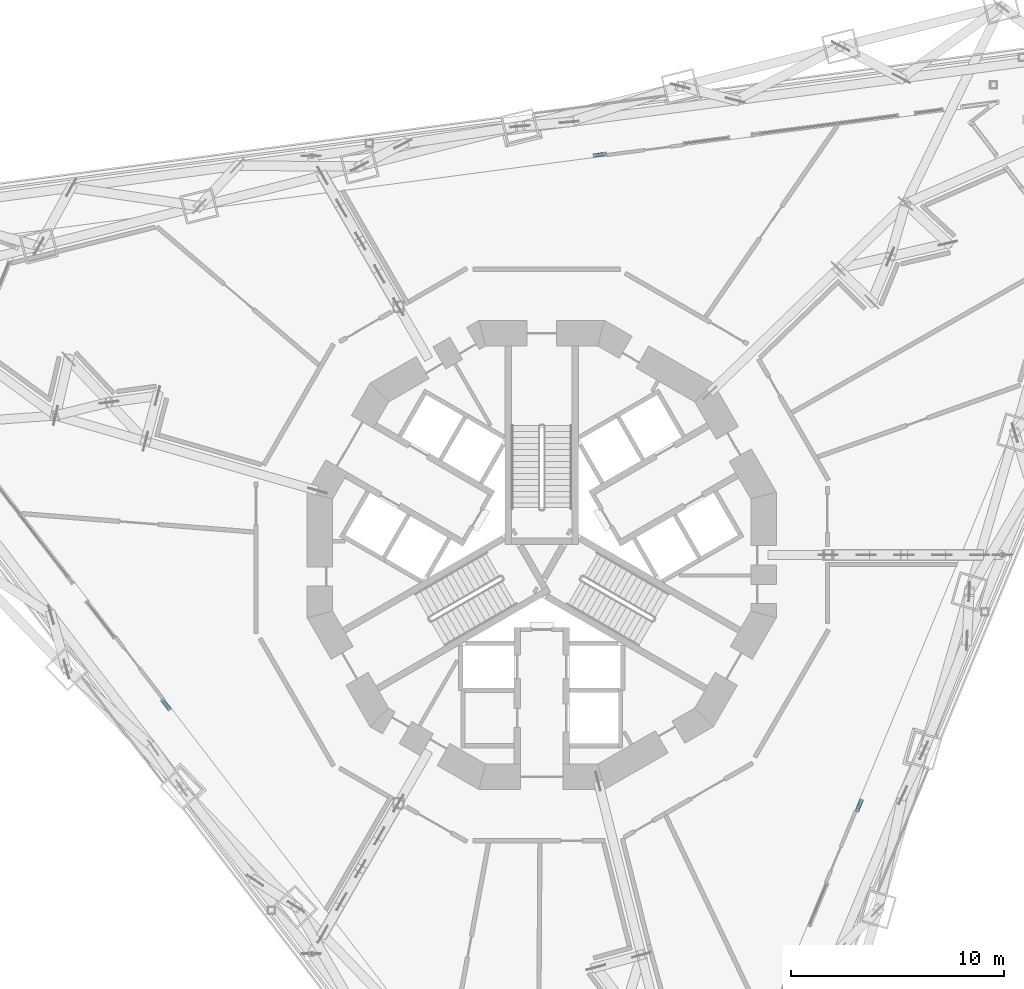
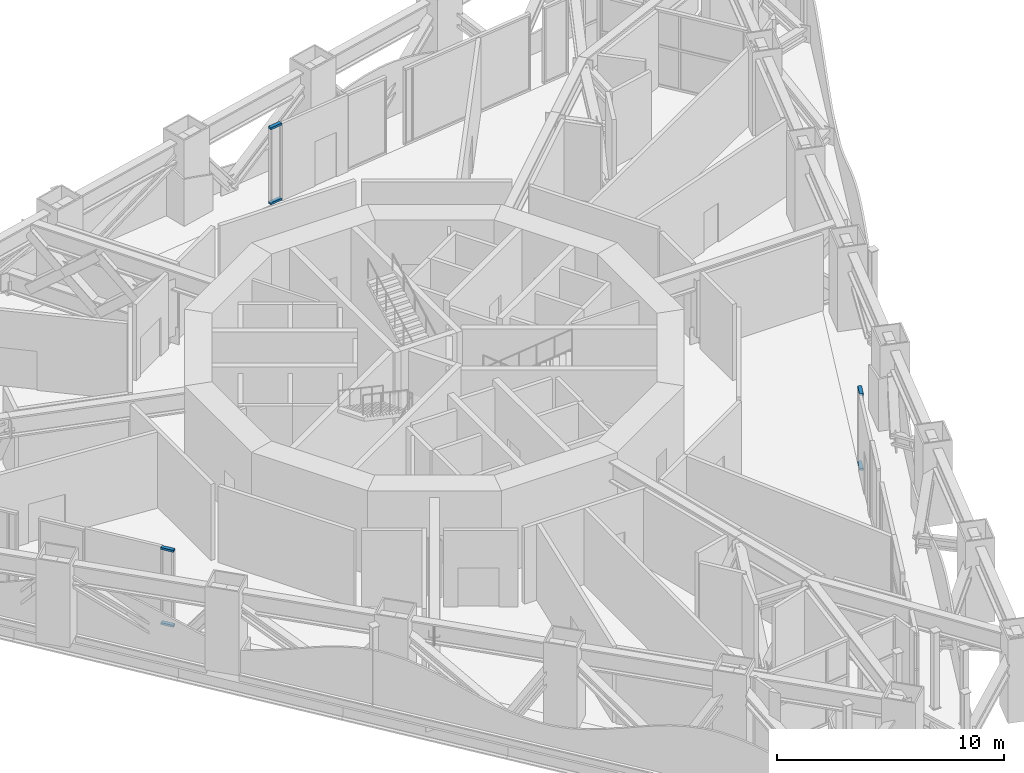
# One storey, part 11 of 31: 6 members, 3 elements without a shape of their own.
"""IFC4 building model written with IfcOpenShell, lengths in metres."""

from ifc_helpers import new_model, si_unit, direction, frame, origin, origin_2d, place, context, subcontext, project, spatial, rectangle, extrude, material, layer, layer_set, material_profile, profile_set, type_object, element, aggregate, save


model = new_model("IFC4")

# Units and contexts
model_context = context("Model", 3, precision=1e-05, world=origin(), true_north=direction((0.0, 1.0)))
body_context = subcontext(model_context, "Body", "Model", "MODEL_VIEW")
ifc_project = project(units=[si_unit("LENGTHUNIT", "METRE"), si_unit("AREAUNIT", "SQUARE_METRE"), si_unit("VOLUMEUNIT", "CUBIC_METRE"), si_unit("PLANEANGLEUNIT", "RADIAN"), si_unit("MASSUNIT", "GRAM", prefix="KILO")], contexts=[model_context])

# Site, building, storey
site_placement = place(None, origin())
site = spatial("IfcSite", under=ifc_project, at=site_placement, CompositionType="ELEMENT")
building_placement = place(site_placement, origin())
building = spatial("IfcBuilding", under=site, at=building_placement, Name="Trine Commons Tower", CompositionType="ELEMENT")
storey_placement = place(building_placement, frame((0.0, 0.0, 82.800048828125)))
storey = spatial("IfcBuildingStorey", under=building, at=storey_placement, Name="L20", CompositionType="ELEMENT", Elevation=82.800048828125)

# Curtain wall, members
ifc_material_1 = material(Name="Sky lounge glazing: anodised aluminium frame with low-emissivity double glazed unit, solar control", Category="aluminium")
ifc_layer = layer(ifc_material_1, 0.179931640625)
ifc_layer_set = layer_set([ifc_layer], Name="Sky lounge glazing: anodised aluminium frame with low-emissivity double glazed unit, solar control")
curtain_wall_type = type_object("IfcCurtainWallType", Name="Sky lounge glazing curtain wall CW5", PredefinedType="NOTDEFINED", material=ifc_layer_set)
curtain_wall_1_placement = place(storey_placement, origin())
curtain_wall_1 = element("IfcCurtainWall", 1, at=curtain_wall_1_placement, inside=storey, type_object=curtain_wall_type, Name="Sky lounge glazing L20 F1.1", PredefinedType="NOTDEFINED")
ifc_material_2 = material(Name="Anodised aluminium, bronze finish", Category="aluminium")
ifc_material_profile = material_profile(ifc_material_2, rectangle(XDim=0.179931640625, YDim=0.110107421875, at=origin_2d()), Name="Transom 110x180")
ifc_profile_set = profile_set([ifc_material_profile], Name="Anodised aluminium, bronze finish")
member_type = type_object("IfcMemberType", Name="Transom 110x180, Anodised aluminium, bronze finish", PredefinedType="USERDEFINED", material=ifc_profile_set)
member_1_placement = place(storey_placement, frame((82.431884765625, 81.244384765625, 0.054931640625), z_axis=(0.991395426727, 0.130901137753, 0.0), x_axis=(-0.130901137753, 0.991395426727, 0.0)))
member_1 = element("IfcMember", 2, at=member_1_placement, type_object=member_type, Name="CW5 transom T00", ObjectType="TRANSOM", PredefinedType="USERDEFINED", context=body_context, shape_type="SweptSolid", body=[
    extrude(rectangle(XDim=0.179931640625, YDim=0.110107421875, at=origin_2d()), origin(), (0.0, 0.0, 1.0), 0.60791015625),
])
member_2_placement = place(storey_placement, frame((82.431884765625, 81.244384765625, 4.094970703125), z_axis=(0.991395426727, 0.130901137753, 0.0), x_axis=(-0.130901137753, 0.991395426727, 0.0)))
member_2 = element("IfcMember", 3, at=member_2_placement, type_object=member_type, Name="CW5 transom TH00", ObjectType="TRANSOM", PredefinedType="USERDEFINED", context=body_context, shape_type="SweptSolid", body=[
    extrude(rectangle(XDim=0.179931640625, YDim=0.110107421875, at=origin_2d()), origin(), (0.0, 0.0, 1.0), 0.60791015625),
])
aggregate(curtain_wall_1, [member_1, member_2])

curtain_wall_2_placement = place(storey_placement, origin())
curtain_wall_2 = element("IfcCurtainWall", 4, at=curtain_wall_2_placement, inside=storey, type_object=curtain_wall_type, Name="Sky lounge glazing L20 F2.1", PredefinedType="NOTDEFINED")
member_3_placement = place(storey_placement, frame((95.017333984375, 51.021728515625, 0.054931640625), z_axis=(-0.382647307228, -0.923894495206, 0.0), x_axis=(0.923894495206, -0.382647307228, 0.0)))
member_3 = element("IfcMember", 5, at=member_3_placement, type_object=member_type, Name="CW5 transom T00", ObjectType="TRANSOM", PredefinedType="USERDEFINED", context=body_context, shape_type="SweptSolid", body=[
    extrude(rectangle(XDim=0.179931640625, YDim=0.110107421875, at=origin_2d()), origin(), (0.0, 0.0, 1.0), 0.608154296875),
])
member_4_placement = place(storey_placement, frame((95.017333984375, 51.021728515625, 4.094970703125), z_axis=(-0.382647307228, -0.923894495206, 0.0), x_axis=(0.923894495206, -0.382647307228, 0.0)))
member_4 = element("IfcMember", 6, at=member_4_placement, type_object=member_type, Name="CW5 transom TH00", ObjectType="TRANSOM", PredefinedType="USERDEFINED", context=body_context, shape_type="SweptSolid", body=[
    extrude(rectangle(XDim=0.179931640625, YDim=0.110107421875, at=origin_2d()), origin(), (0.0, 0.0, 1.0), 0.608154296875),
])
aggregate(curtain_wall_2, [member_3, member_4])

curtain_wall_3_placement = place(storey_placement, origin())
curtain_wall_3 = element("IfcCurtainWall", 7, at=curtain_wall_3_placement, inside=storey, type_object=curtain_wall_type, Name="Sky lounge glazing L20 F3.1", PredefinedType="NOTDEFINED")
member_5_placement = place(storey_placement, frame((62.55078125, 55.23388671875, 0.054931640625), z_axis=(-0.608895201669, 0.793250674998, 0.0), x_axis=(-0.793250674998, -0.608895201669, 0.0)))
member_5 = element("IfcMember", 8, at=member_5_placement, type_object=member_type, Name="CW5 transom T00", ObjectType="TRANSOM", PredefinedType="USERDEFINED", context=body_context, shape_type="SweptSolid", body=[
    extrude(rectangle(XDim=0.179931640625, YDim=0.110107421875, at=origin_2d()), origin(), (0.0, 0.0, 1.0), 0.60791015625),
])
member_6_placement = place(storey_placement, frame((62.55078125, 55.23388671875, 4.094970703125), z_axis=(-0.608895201669, 0.793250674998, 0.0), x_axis=(-0.793250674998, -0.608895201669, 0.0)))
member_6 = element("IfcMember", 9, at=member_6_placement, type_object=member_type, Name="CW5 transom TH00", ObjectType="TRANSOM", PredefinedType="USERDEFINED", context=body_context, shape_type="SweptSolid", body=[
    extrude(rectangle(XDim=0.179931640625, YDim=0.110107421875, at=origin_2d()), origin(), (0.0, 0.0, 1.0), 0.60791015625),
])
aggregate(curtain_wall_3, [member_5, member_6])

save(model, "model.ifc")
